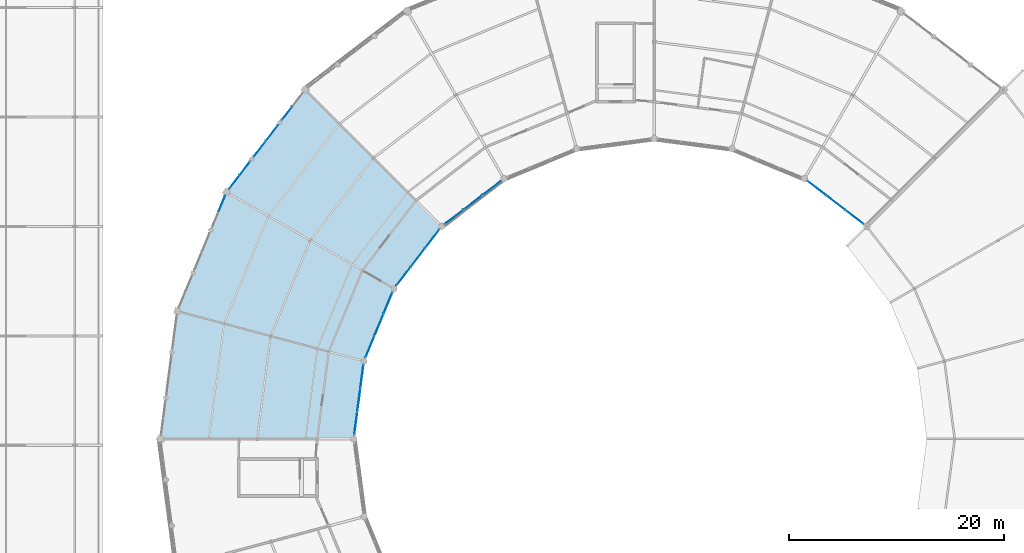
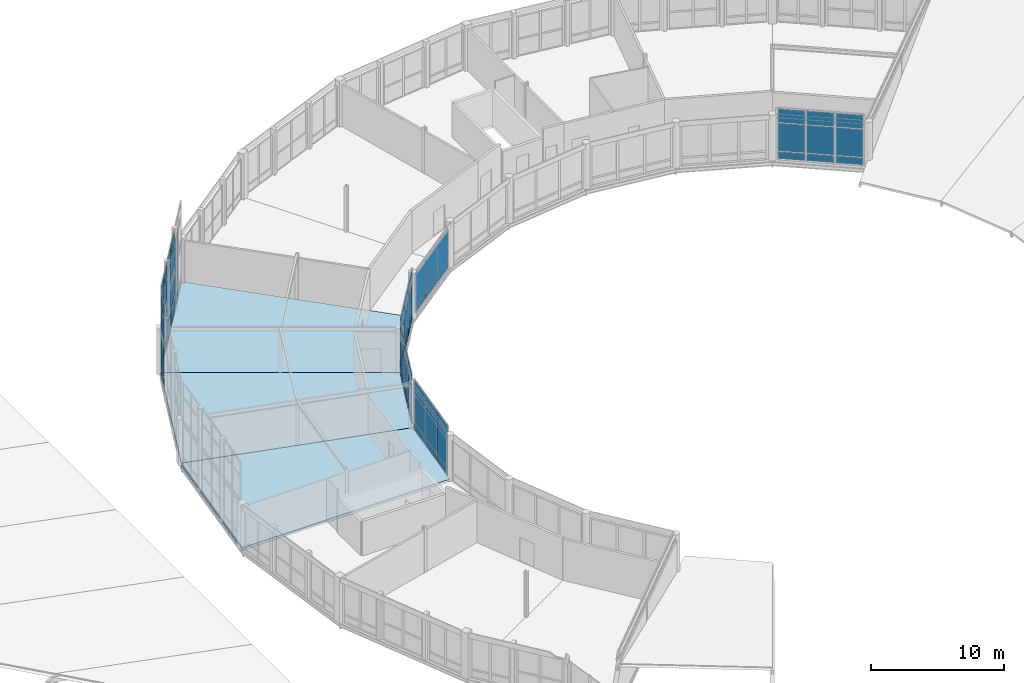
# One storey, part 138 of 200: 59 plates, 3 slabs, 9 elements without a shape of their own.
"""IFC4 building model written with IfcOpenShell, lengths in metres."""

from ifc_helpers import new_model, si_unit, direction, frame, origin, origin_2d, place, context, subcontext, project, spatial, polyline, rectangle, outline, extrude, material, layer, layer_set, type_object, element, aggregate, save


model = new_model("IFC4")

# Units and contexts
model_context = context("Model", 3, precision=1e-05, world=origin(), true_north=direction((0.0, 1.0)))
body_context = subcontext(model_context, "Body", "Model", "MODEL_VIEW")
ifc_project = project(units=[si_unit("LENGTHUNIT", "METRE"), si_unit("AREAUNIT", "SQUARE_METRE"), si_unit("VOLUMEUNIT", "CUBIC_METRE"), si_unit("PLANEANGLEUNIT", "RADIAN"), si_unit("MASSUNIT", "GRAM", prefix="KILO")], contexts=[model_context])

# Site, building, storey
site_placement = place(None, origin())
site = spatial("IfcSite", under=ifc_project, at=site_placement, CompositionType="ELEMENT")
building_placement = place(site_placement, origin())
building = spatial("IfcBuilding", under=site, at=building_placement, Name="Vondelvale Polytechnic", CompositionType="ELEMENT")
storey_placement = place(building_placement, frame((0.0, 0.0, 13.800048828125)))
storey = spatial("IfcBuildingStorey", under=building, at=storey_placement, Name="L03", CompositionType="ELEMENT", Elevation=13.800048828125)

# Curtain wall, plates
ifc_material_1 = material(Name="Anodised extruded aluminium 6063-T6", Category="aluminium")
curtain_wall_type_1 = type_object("IfcCurtainWallType", Name="CW-RING-CLOISTER", PredefinedType="NOTDEFINED", material=ifc_material_1)
curtain_wall_1_placement = place(storey_placement, origin())
curtain_wall_1 = element("IfcCurtainWall", 1, at=curtain_wall_1_placement, inside=storey, type_object=curtain_wall_type_1, Name="L03 architectural curtain wall CW-03-108", PredefinedType="NOTDEFINED")
ifc_material_2 = material(Name="Double-glazed low-E insulated architectural glass", Category="glass")
ifc_layer_1 = layer(ifc_material_2, 0.028076171875)
ifc_layer_set_1 = layer_set([ifc_layer_1], Name="CW-PANEL-GLAZED")
plate_type_1 = type_object("IfcPlateType", Name="CW-PANEL-GLAZED", PredefinedType="CURTAIN_PANEL", material=ifc_layer_set_1)
plate_1_placement = place(storey_placement, frame((120.644775390625, 92.6845703125, 0.78271484375), z_axis=(0.0, 0.0, 1.0), x_axis=(-0.793363861089, 0.608747717793, 0.0)))
plate_1 = element("IfcPlate", 2, at=plate_1_placement, type_object=plate_type_1, Name="CW-03-108 panel 1.2", PredefinedType="CURTAIN_PANEL", context=body_context, shape_type="SweptSolid", body=[
    extrude(rectangle(XDim=2.1123046875, YDim=0.028076171875, at=origin_2d()), origin(), (0.0, 0.0, 1.0), 2.548095703125),
])
plate_2_placement = place(storey_placement, frame((120.644775390625, 92.6845703125, 3.395751953125), z_axis=(0.0, 0.0, 1.0), x_axis=(-0.793363861089, 0.608747717793, 0.0)))
plate_2 = element("IfcPlate", 3, at=plate_2_placement, type_object=plate_type_1, Name="CW-03-108 panel 1.3", PredefinedType="CURTAIN_PANEL", context=body_context, shape_type="SweptSolid", body=[
    extrude(rectangle(XDim=2.1123046875, YDim=0.028076171875, at=origin_2d()), origin(), (0.0, 0.0, 1.0), 1.25244140625),
])
plate_3_placement = place(storey_placement, frame((118.8994140625, 94.02392578125, 0.78271484375), z_axis=(0.0, 0.0, 1.0), x_axis=(-0.793363861089, 0.608747717793, 0.0)))
plate_3 = element("IfcPlate", 4, at=plate_3_placement, type_object=plate_type_1, Name="CW-03-108 panel 2.2", PredefinedType="CURTAIN_PANEL", context=body_context, shape_type="SweptSolid", body=[
    extrude(rectangle(XDim=2.1474609375, YDim=0.028076171875, at=origin_2d()), origin(), (0.0, 0.0, 1.0), 2.548095703125),
])
plate_4_placement = place(storey_placement, frame((118.8994140625, 94.02392578125, 3.395751953125), z_axis=(0.0, 0.0, 1.0), x_axis=(-0.793363861089, 0.608747717793, 0.0)))
plate_4 = element("IfcPlate", 5, at=plate_4_placement, type_object=plate_type_1, Name="CW-03-108 panel 2.3", PredefinedType="CURTAIN_PANEL", context=body_context, shape_type="SweptSolid", body=[
    extrude(rectangle(XDim=2.1474609375, YDim=0.028076171875, at=origin_2d()), origin(), (0.0, 0.0, 1.0), 1.25244140625),
])
plate_5_placement = place(storey_placement, frame((117.154296875, 95.363037109375, 0.78271484375), z_axis=(0.0, 0.0, 1.0), x_axis=(-0.793363861089, 0.608747717793, 0.0)))
plate_5 = element("IfcPlate", 6, at=plate_5_placement, type_object=plate_type_1, Name="CW-03-108 panel 3.2", PredefinedType="CURTAIN_PANEL", context=body_context, shape_type="SweptSolid", body=[
    extrude(rectangle(XDim=2.1123046875, YDim=0.028076171875, at=origin_2d()), origin(), (0.0, 0.0, 1.0), 2.548095703125),
])
plate_6_placement = place(storey_placement, frame((117.154296875, 95.363037109375, 3.395751953125), z_axis=(0.0, 0.0, 1.0), x_axis=(-0.793363861089, 0.608747717793, 0.0)))
plate_6 = element("IfcPlate", 7, at=plate_6_placement, type_object=plate_type_1, Name="CW-03-108 panel 3.3", PredefinedType="CURTAIN_PANEL", context=body_context, shape_type="SweptSolid", body=[
    extrude(rectangle(XDim=2.1123046875, YDim=0.028076171875, at=origin_2d()), origin(), (0.0, 0.0, 1.0), 1.25244140625),
])

curtain_wall_2_placement = place(storey_placement, origin())
curtain_wall_2 = element("IfcCurtainWall", 8, at=curtain_wall_2_placement, inside=storey, type_object=curtain_wall_type_1, Name="L03 architectural curtain wall CW-03-202", PredefinedType="NOTDEFINED")
plate_7_placement = place(storey_placement, frame((86.845703125, 95.363037109375, 0.7822265625), z_axis=(0.0, 0.0, 1.0), x_axis=(-0.793363861089, -0.608747717793, 0.0)))
plate_7 = element("IfcPlate", 9, at=plate_7_placement, type_object=plate_type_1, Name="CW-03-202 panel 1.2", PredefinedType="CURTAIN_PANEL", context=body_context, shape_type="SweptSolid", body=[
    extrude(rectangle(XDim=2.1123046875, YDim=0.028076171875, at=origin_2d()), origin(), (0.0, 0.0, 1.0), 2.902587890625),
])
plate_8_placement = place(storey_placement, frame((85.1005859375, 94.02392578125, 0.7822265625), z_axis=(0.0, 0.0, 1.0), x_axis=(-0.793363861089, -0.608747717793, 0.0)))
plate_8 = element("IfcPlate", 10, at=plate_8_placement, type_object=plate_type_1, Name="CW-03-202 panel 2.2", PredefinedType="CURTAIN_PANEL", context=body_context, shape_type="SweptSolid", body=[
    extrude(rectangle(XDim=2.1474609375, YDim=0.028076171875, at=origin_2d()), origin(), (0.0, 0.0, 1.0), 2.902587890625),
])
plate_9_placement = place(storey_placement, frame((83.355224609375, 92.6845703125, 0.7822265625), z_axis=(0.0, 0.0, 1.0), x_axis=(-0.793363861089, -0.608747717793, 0.0)))
plate_9 = element("IfcPlate", 11, at=plate_9_placement, type_object=plate_type_1, Name="CW-03-202 panel 3.2", PredefinedType="CURTAIN_PANEL", context=body_context, shape_type="SweptSolid", body=[
    extrude(rectangle(XDim=2.1123046875, YDim=0.028076171875, at=origin_2d()), origin(), (0.0, 0.0, 1.0), 2.902587890625),
])

curtain_wall_3_placement = place(storey_placement, origin())
curtain_wall_3 = element("IfcCurtainWall", 12, at=curtain_wall_3_placement, inside=storey, type_object=curtain_wall_type_1, Name="L03 architectural curtain wall CW-03-221", PredefinedType="NOTDEFINED")
plate_10_placement = place(storey_placement, frame((81.3154296875, 90.644775390625, 0.78271484375), z_axis=(0.0, 0.0, 1.0), x_axis=(-0.608747717793, -0.793363861089, 0.0)))
plate_10 = element("IfcPlate", 13, at=plate_10_placement, type_object=plate_type_1, Name="CW-03-221 panel 1.2", PredefinedType="CURTAIN_PANEL", context=body_context, shape_type="SweptSolid", body=[
    extrude(rectangle(XDim=2.1123046875, YDim=0.028076171875, at=origin_2d()), origin(), (0.0, 0.0, 1.0), 2.548095703125),
])
plate_11_placement = place(storey_placement, frame((81.3154296875, 90.644775390625, 3.395751953125), z_axis=(0.0, 0.0, 1.0), x_axis=(-0.608747717793, -0.793363861089, 0.0)))
plate_11 = element("IfcPlate", 14, at=plate_11_placement, type_object=plate_type_1, Name="CW-03-221 panel 1.3", PredefinedType="CURTAIN_PANEL", context=body_context, shape_type="SweptSolid", body=[
    extrude(rectangle(XDim=2.1123046875, YDim=0.028076171875, at=origin_2d()), origin(), (0.0, 0.0, 1.0), 1.25244140625),
])
plate_12_placement = place(storey_placement, frame((79.97607421875, 88.8994140625, 0.78271484375), z_axis=(0.0, 0.0, 1.0), x_axis=(-0.608747717793, -0.793363861089, 0.0)))
plate_12 = element("IfcPlate", 15, at=plate_12_placement, type_object=plate_type_1, Name="CW-03-221 panel 2.2", PredefinedType="CURTAIN_PANEL", context=body_context, shape_type="SweptSolid", body=[
    extrude(rectangle(XDim=2.1474609375, YDim=0.028076171875, at=origin_2d()), origin(), (0.0, 0.0, 1.0), 2.548095703125),
])
plate_13_placement = place(storey_placement, frame((79.97607421875, 88.8994140625, 3.395751953125), z_axis=(0.0, 0.0, 1.0), x_axis=(-0.608747717793, -0.793363861089, 0.0)))
plate_13 = element("IfcPlate", 16, at=plate_13_placement, type_object=plate_type_1, Name="CW-03-221 panel 2.3", PredefinedType="CURTAIN_PANEL", context=body_context, shape_type="SweptSolid", body=[
    extrude(rectangle(XDim=2.1474609375, YDim=0.028076171875, at=origin_2d()), origin(), (0.0, 0.0, 1.0), 1.25244140625),
])
plate_14_placement = place(storey_placement, frame((78.636962890625, 87.154296875, 0.78271484375), z_axis=(0.0, 0.0, 1.0), x_axis=(-0.608747717793, -0.793363861089, 0.0)))
plate_14 = element("IfcPlate", 17, at=plate_14_placement, type_object=plate_type_1, Name="CW-03-221 panel 3.2", PredefinedType="CURTAIN_PANEL", context=body_context, shape_type="SweptSolid", body=[
    extrude(rectangle(XDim=2.1123046875, YDim=0.028076171875, at=origin_2d()), origin(), (0.0, 0.0, 1.0), 2.548095703125),
])
plate_15_placement = place(storey_placement, frame((78.636962890625, 87.154296875, 3.395751953125), z_axis=(0.0, 0.0, 1.0), x_axis=(-0.608747717793, -0.793363861089, 0.0)))
plate_15 = element("IfcPlate", 18, at=plate_15_placement, type_object=plate_type_1, Name="CW-03-221 panel 3.3", PredefinedType="CURTAIN_PANEL", context=body_context, shape_type="SweptSolid", body=[
    extrude(rectangle(XDim=2.1123046875, YDim=0.028076171875, at=origin_2d()), origin(), (0.0, 0.0, 1.0), 1.25244140625),
])

# Curtain wall, plate
ifc_material_3 = material(Name="Glulam GL18 structural Tasmanian oak (fb = 42 MPa)", Category="wood")
curtain_wall_type_2 = type_object("IfcCurtainWallType", Name="CW-RING-OUTER", PredefinedType="NOTDEFINED", material=ifc_material_3)
curtain_wall_4_placement = place(storey_placement, origin())
curtain_wall_4 = element("IfcCurtainWall", 19, at=curtain_wall_4_placement, inside=storey, type_object=curtain_wall_type_2, Name="L03 architectural curtain wall CW-04-222", PredefinedType="NOTDEFINED")
plate_16_placement = place(storey_placement, frame((67.794189453125, 102.339111328125, 0.780029296875), z_axis=(0.0, 0.0, 1.0), x_axis=(-0.608786860133, -0.793333825656, 0.0)))
plate_16 = element("IfcPlate", 20, at=plate_16_placement, type_object=plate_type_1, Name="CW-04-222 panel 2.2", PredefinedType="CURTAIN_PANEL", context=body_context, shape_type="SweptSolid", body=[
    extrude(rectangle(XDim=1.530029296875, YDim=0.028076171875, at=origin_2d()), origin(), (0.0, 0.0, 1.0), 5.50146484375),
])

# Curtain wall, plates
curtain_wall_5_placement = place(storey_placement, origin())
curtain_wall_5 = element("IfcCurtainWall", 21, at=curtain_wall_5_placement, inside=storey, type_object=curtain_wall_type_2, Name="L03 architectural curtain wall CW-04-223", PredefinedType="NOTDEFINED")
plate_17_placement = place(storey_placement, frame((66.388427734375, 100.5068359375, 1.6298828125), z_axis=(0.0, 0.0, 1.0), x_axis=(-0.608771189063, -0.793345851043, 0.0)))
plate_17 = element("IfcPlate", 22, at=plate_17_placement, type_object=plate_type_1, Name="CW-04-223 panel 1.2", PredefinedType="CURTAIN_PANEL", context=body_context, shape_type="SweptSolid", body=[
    extrude(rectangle(XDim=1.80908203125, YDim=0.028076171875, at=origin_2d()), origin(), (0.0, 0.0, 1.0), 4.6513671875),
])
plate_18_placement = place(storey_placement, frame((66.388427734375, 100.5068359375, 6.34130859375), z_axis=(0.0, 0.0, 1.0), x_axis=(-0.608771189063, -0.793345851043, 0.0)))
plate_18 = element("IfcPlate", 23, at=plate_18_placement, type_object=plate_type_1, Name="CW-04-223 panel 1.3", PredefinedType="CURTAIN_PANEL", context=body_context, shape_type="SweptSolid", body=[
    extrude(rectangle(XDim=1.80908203125, YDim=0.028076171875, at=origin_2d()), origin(), (0.0, 0.0, 1.0), 1.260009765625),
])
plate_19_placement = place(storey_placement, frame((65.24755859375, 99.02001953125, 1.6298828125), z_axis=(0.0, 0.0, 1.0), x_axis=(-0.608771189063, -0.793345851043, 0.0)))
plate_19 = element("IfcPlate", 24, at=plate_19_placement, type_object=plate_type_1, Name="CW-04-223 panel 2.2", PredefinedType="CURTAIN_PANEL", context=body_context, shape_type="SweptSolid", body=[
    extrude(rectangle(XDim=1.80908203125, YDim=0.028076171875, at=origin_2d()), origin(), (0.0, 0.0, 1.0), 4.6513671875),
])
plate_20_placement = place(storey_placement, frame((65.24755859375, 99.02001953125, 6.34130859375), z_axis=(0.0, 0.0, 1.0), x_axis=(-0.608771189063, -0.793345851043, 0.0)))
plate_20 = element("IfcPlate", 25, at=plate_20_placement, type_object=plate_type_1, Name="CW-04-223 panel 2.3", PredefinedType="CURTAIN_PANEL", context=body_context, shape_type="SweptSolid", body=[
    extrude(rectangle(XDim=1.80908203125, YDim=0.028076171875, at=origin_2d()), origin(), (0.0, 0.0, 1.0), 1.260009765625),
])

curtain_wall_6_placement = place(storey_placement, origin())
curtain_wall_6 = element("IfcCurtainWall", 26, at=curtain_wall_6_placement, inside=storey, type_object=curtain_wall_type_2, Name="L03 architectural curtain wall CW-04-224", PredefinedType="NOTDEFINED")
plate_21_placement = place(storey_placement, frame((63.841552734375, 97.187744140625, 0.780029296875), z_axis=(0.0, 0.0, 1.0), x_axis=(-0.608786860133, -0.793333825656, 0.0)))
plate_21 = element("IfcPlate", 27, at=plate_21_placement, type_object=plate_type_1, Name="CW-04-224 panel 1.2", PredefinedType="CURTAIN_PANEL", context=body_context, shape_type="SweptSolid", body=[
    extrude(rectangle(XDim=1.530029296875, YDim=0.028076171875, at=origin_2d()), origin(), (0.0, 0.0, 1.0), 5.50146484375),
])
plate_22_placement = place(storey_placement, frame((63.841552734375, 97.187744140625, 6.34130859375), z_axis=(0.0, 0.0, 1.0), x_axis=(-0.608786860133, -0.793333825656, 0.0)))
plate_22 = element("IfcPlate", 28, at=plate_22_placement, type_object=plate_type_1, Name="CW-04-224 panel 1.3", PredefinedType="CURTAIN_PANEL", context=body_context, shape_type="SweptSolid", body=[
    extrude(rectangle(XDim=1.530029296875, YDim=0.028076171875, at=origin_2d()), origin(), (0.0, 0.0, 1.0), 1.260009765625),
])
plate_23_placement = place(storey_placement, frame((62.87060546875, 95.92236328125, 0.780029296875), z_axis=(0.0, 0.0, 1.0), x_axis=(-0.608786860133, -0.793333825656, 0.0)))
plate_23 = element("IfcPlate", 29, at=plate_23_placement, type_object=plate_type_1, Name="CW-04-224 panel 2.2", PredefinedType="CURTAIN_PANEL", context=body_context, shape_type="SweptSolid", body=[
    extrude(rectangle(XDim=1.530029296875, YDim=0.028076171875, at=origin_2d()), origin(), (0.0, 0.0, 1.0), 5.50146484375),
])
plate_24_placement = place(storey_placement, frame((62.87060546875, 95.92236328125, 6.34130859375), z_axis=(0.0, 0.0, 1.0), x_axis=(-0.608786860133, -0.793333825656, 0.0)))
plate_24 = element("IfcPlate", 30, at=plate_24_placement, type_object=plate_type_1, Name="CW-04-224 panel 2.3", PredefinedType="CURTAIN_PANEL", context=body_context, shape_type="SweptSolid", body=[
    extrude(rectangle(XDim=1.530029296875, YDim=0.028076171875, at=origin_2d()), origin(), (0.0, 0.0, 1.0), 1.260009765625),
])

curtain_wall_7_placement = place(storey_placement, origin())
curtain_wall_7 = element("IfcCurtainWall", 31, at=curtain_wall_7_placement, inside=storey, type_object=curtain_wall_type_1, Name="L03 architectural curtain wall CW-03-237", PredefinedType="NOTDEFINED")
plate_25_placement = place(storey_placement, frame((77.194091796875, 84.655029296875, 0.78271484375), z_axis=(0.0, 0.0, 1.0), x_axis=(-0.382678531697, -0.923881562419, 0.0)))
plate_25 = element("IfcPlate", 32, at=plate_25_placement, type_object=plate_type_1, Name="CW-03-237 panel 1.2", PredefinedType="CURTAIN_PANEL", context=body_context, shape_type="SweptSolid", body=[
    extrude(rectangle(XDim=2.111572265625, YDim=0.028076171875, at=origin_2d()), origin(), (0.0, 0.0, 1.0), 2.548095703125),
])
plate_26_placement = place(storey_placement, frame((77.194091796875, 84.655029296875, 3.395751953125), z_axis=(0.0, 0.0, 1.0), x_axis=(-0.382678531697, -0.923881562419, 0.0)))
plate_26 = element("IfcPlate", 33, at=plate_26_placement, type_object=plate_type_1, Name="CW-03-237 panel 1.3", PredefinedType="CURTAIN_PANEL", context=body_context, shape_type="SweptSolid", body=[
    extrude(rectangle(XDim=2.111572265625, YDim=0.028076171875, at=origin_2d()), origin(), (0.0, 0.0, 1.0), 1.25244140625),
])
plate_27_placement = place(storey_placement, frame((76.352783203125, 82.62353515625, 0.78271484375), z_axis=(0.0, 0.0, 1.0), x_axis=(-0.382678531697, -0.923881562419, 0.0)))
plate_27 = element("IfcPlate", 34, at=plate_27_placement, type_object=plate_type_1, Name="CW-03-237 panel 2.2", PredefinedType="CURTAIN_PANEL", context=body_context, shape_type="SweptSolid", body=[
    extrude(rectangle(XDim=2.146484375, YDim=0.028076171875, at=origin_2d()), origin(), (0.0, 0.0, 1.0), 2.548095703125),
])
plate_28_placement = place(storey_placement, frame((76.352783203125, 82.62353515625, 3.395751953125), z_axis=(0.0, 0.0, 1.0), x_axis=(-0.382678531697, -0.923881562419, 0.0)))
plate_28 = element("IfcPlate", 35, at=plate_28_placement, type_object=plate_type_1, Name="CW-03-237 panel 2.3", PredefinedType="CURTAIN_PANEL", context=body_context, shape_type="SweptSolid", body=[
    extrude(rectangle(XDim=2.146484375, YDim=0.028076171875, at=origin_2d()), origin(), (0.0, 0.0, 1.0), 1.25244140625),
])
plate_29_placement = place(storey_placement, frame((75.51123046875, 80.591796875, 0.78271484375), z_axis=(0.0, 0.0, 1.0), x_axis=(-0.382678531697, -0.923881562419, 0.0)))
plate_29 = element("IfcPlate", 36, at=plate_29_placement, type_object=plate_type_1, Name="CW-03-237 panel 3.2", PredefinedType="CURTAIN_PANEL", context=body_context, shape_type="SweptSolid", body=[
    extrude(rectangle(XDim=2.111572265625, YDim=0.028076171875, at=origin_2d()), origin(), (0.0, 0.0, 1.0), 2.548095703125),
])
plate_30_placement = place(storey_placement, frame((75.51123046875, 80.591796875, 3.395751953125), z_axis=(0.0, 0.0, 1.0), x_axis=(-0.382678531697, -0.923881562419, 0.0)))
plate_30 = element("IfcPlate", 37, at=plate_30_placement, type_object=plate_type_1, Name="CW-03-237 panel 3.3", PredefinedType="CURTAIN_PANEL", context=body_context, shape_type="SweptSolid", body=[
    extrude(rectangle(XDim=2.111572265625, YDim=0.028076171875, at=origin_2d()), origin(), (0.0, 0.0, 1.0), 1.25244140625),
])

curtain_wall_8_placement = place(storey_placement, origin())
curtain_wall_8 = element("IfcCurtainWall", 38, at=curtain_wall_8_placement, inside=storey, type_object=curtain_wall_type_2, Name="L03 architectural curtain wall CW-04-238", PredefinedType="NOTDEFINED")
plate_31_placement = place(storey_placement, frame((61.7177734375, 93.92578125, 0.780029296875), z_axis=(0.0, 0.0, 1.0), x_axis=(-0.382677394529, -0.923882033442, 0.0)))
plate_31 = element("IfcPlate", 39, at=plate_31_placement, type_object=plate_type_1, Name="CW-04-238 panel 1.2", PredefinedType="CURTAIN_PANEL", context=body_context, shape_type="SweptSolid", body=[
    extrude(rectangle(XDim=1.530029296875, YDim=0.028076171875, at=origin_2d()), origin(), (0.0, 0.0, 1.0), 5.50146484375),
])
plate_32_placement = place(storey_placement, frame((61.7177734375, 93.92578125, 6.34130859375), z_axis=(0.0, 0.0, 1.0), x_axis=(-0.382677394529, -0.923882033442, 0.0)))
plate_32 = element("IfcPlate", 40, at=plate_32_placement, type_object=plate_type_1, Name="CW-04-238 panel 1.3", PredefinedType="CURTAIN_PANEL", context=body_context, shape_type="SweptSolid", body=[
    extrude(rectangle(XDim=1.530029296875, YDim=0.028076171875, at=origin_2d()), origin(), (0.0, 0.0, 1.0), 1.260009765625),
])

curtain_wall_9_placement = place(storey_placement, origin())
curtain_wall_9 = element("IfcCurtainWall", 41, at=curtain_wall_9_placement, inside=storey, type_object=curtain_wall_type_1, Name="L03 architectural curtain wall CW-03-252", PredefinedType="NOTDEFINED")
plate_33_placement = place(storey_placement, frame((74.76416015625, 77.804443359375, 0.78271484375), z_axis=(0.0, 0.0, 1.0), x_axis=(-0.130528007165, -0.99144462243, 0.0)))
plate_33 = element("IfcPlate", 42, at=plate_33_placement, type_object=plate_type_1, Name="CW-03-252 panel 1.2", PredefinedType="CURTAIN_PANEL", context=body_context, shape_type="SweptSolid", body=[
    extrude(rectangle(XDim=2.1123046875, YDim=0.028076171875, at=origin_2d()), origin(), (0.0, 0.0, 1.0), 2.548095703125),
])
plate_34_placement = place(storey_placement, frame((74.76416015625, 77.804443359375, 3.395751953125), z_axis=(0.0, 0.0, 1.0), x_axis=(-0.130528007165, -0.99144462243, 0.0)))
plate_34 = element("IfcPlate", 43, at=plate_34_placement, type_object=plate_type_1, Name="CW-03-252 panel 1.3", PredefinedType="CURTAIN_PANEL", context=body_context, shape_type="SweptSolid", body=[
    extrude(rectangle(XDim=2.1123046875, YDim=0.028076171875, at=origin_2d()), origin(), (0.0, 0.0, 1.0), 1.25244140625),
])
plate_35_placement = place(storey_placement, frame((74.47705078125, 75.62353515625, 0.78271484375), z_axis=(0.0, 0.0, 1.0), x_axis=(-0.130528007165, -0.99144462243, 0.0)))
plate_35 = element("IfcPlate", 44, at=plate_35_placement, type_object=plate_type_1, Name="CW-03-252 panel 2.2", PredefinedType="CURTAIN_PANEL", context=body_context, shape_type="SweptSolid", body=[
    extrude(rectangle(XDim=2.1474609375, YDim=0.028076171875, at=origin_2d()), origin(), (0.0, 0.0, 1.0), 2.548095703125),
])
plate_36_placement = place(storey_placement, frame((74.47705078125, 75.62353515625, 3.395751953125), z_axis=(0.0, 0.0, 1.0), x_axis=(-0.130528007165, -0.99144462243, 0.0)))
plate_36 = element("IfcPlate", 45, at=plate_36_placement, type_object=plate_type_1, Name="CW-03-252 panel 2.3", PredefinedType="CURTAIN_PANEL", context=body_context, shape_type="SweptSolid", body=[
    extrude(rectangle(XDim=2.1474609375, YDim=0.028076171875, at=origin_2d()), origin(), (0.0, 0.0, 1.0), 1.25244140625),
])
plate_37_placement = place(storey_placement, frame((74.18994140625, 73.4423828125, 0.78271484375), z_axis=(0.0, 0.0, 1.0), x_axis=(-0.130528007165, -0.99144462243, 0.0)))
plate_37 = element("IfcPlate", 46, at=plate_37_placement, type_object=plate_type_1, Name="CW-03-252 panel 3.2", PredefinedType="CURTAIN_PANEL", context=body_context, shape_type="SweptSolid", body=[
    extrude(rectangle(XDim=2.1123046875, YDim=0.028076171875, at=origin_2d()), origin(), (0.0, 0.0, 1.0), 2.548095703125),
])
plate_38_placement = place(storey_placement, frame((74.18994140625, 73.4423828125, 3.395751953125), z_axis=(0.0, 0.0, 1.0), x_axis=(-0.130528007165, -0.99144462243, 0.0)))
plate_38 = element("IfcPlate", 47, at=plate_38_placement, type_object=plate_type_1, Name="CW-03-252 panel 3.3", PredefinedType="CURTAIN_PANEL", context=body_context, shape_type="SweptSolid", body=[
    extrude(rectangle(XDim=2.1123046875, YDim=0.028076171875, at=origin_2d()), origin(), (0.0, 0.0, 1.0), 1.25244140625),
])

# Plate
ifc_material_4 = material(Name="Engineered Tasmanian oak studio and bridge joinery")
ifc_layer_2 = layer(ifc_material_4, 0.0419921875)
ifc_layer_set_2 = layer_set([ifc_layer_2], Name="CW-PANEL-OAK")
plate_type_2 = type_object("IfcPlateType", Name="CW-PANEL-OAK", PredefinedType="CURTAIN_PANEL", material=ifc_layer_set_2)
plate_39_placement = place(storey_placement, frame((120.644775390625, 92.6845703125, 0.06494140625), z_axis=(0.0, 0.0, 1.0), x_axis=(-0.793363861089, 0.608747717793, 0.0)))
plate_39 = element("IfcPlate", 48, at=plate_39_placement, type_object=plate_type_2, Name="CW-03-108 panel 1.1", PredefinedType="CURTAIN_PANEL", context=body_context, shape_type="SweptSolid", body=[
    extrude(rectangle(XDim=2.1123046875, YDim=0.0419921875, at=origin_2d()), origin(), (0.0, 0.0, 1.0), 0.652587890625),
])

plate_40_placement = place(storey_placement, frame((118.8994140625, 94.02392578125, 0.06494140625), z_axis=(0.0, 0.0, 1.0), x_axis=(-0.793363861089, 0.608747717793, 0.0)))
plate_40 = element("IfcPlate", 49, at=plate_40_placement, type_object=plate_type_2, Name="CW-03-108 panel 2.1", PredefinedType="CURTAIN_PANEL", context=body_context, shape_type="SweptSolid", body=[
    extrude(rectangle(XDim=2.1474609375, YDim=0.0419921875, at=origin_2d()), origin(), (0.0, 0.0, 1.0), 0.652587890625),
])

plate_41_placement = place(storey_placement, frame((117.154296875, 95.363037109375, 0.06494140625), z_axis=(0.0, 0.0, 1.0), x_axis=(-0.793363861089, 0.608747717793, 0.0)))
plate_41 = element("IfcPlate", 50, at=plate_41_placement, type_object=plate_type_2, Name="CW-03-108 panel 3.1", PredefinedType="CURTAIN_PANEL", context=body_context, shape_type="SweptSolid", body=[
    extrude(rectangle(XDim=2.1123046875, YDim=0.0419921875, at=origin_2d()), origin(), (0.0, 0.0, 1.0), 0.652587890625),
])

aggregate(curtain_wall_1, [plate_39, plate_1, plate_2, plate_40, plate_3, plate_4, plate_41, plate_5, plate_6])

plate_42_placement = place(storey_placement, frame((86.845703125, 95.363037109375, 0.06494140625), z_axis=(0.0, 0.0, 1.0), x_axis=(-0.793363861089, -0.608747717793, 0.0)))
plate_42 = element("IfcPlate", 51, at=plate_42_placement, type_object=plate_type_2, Name="CW-03-202 panel 1.1", PredefinedType="CURTAIN_PANEL", context=body_context, shape_type="SweptSolid", body=[
    extrude(rectangle(XDim=2.1123046875, YDim=0.0419921875, at=origin_2d()), origin(), (0.0, 0.0, 1.0), 0.652587890625),
])

plate_43_placement = place(storey_placement, frame((85.1005859375, 94.02392578125, 0.06494140625), z_axis=(0.0, 0.0, 1.0), x_axis=(-0.793363861089, -0.608747717793, 0.0)))
plate_43 = element("IfcPlate", 52, at=plate_43_placement, type_object=plate_type_2, Name="CW-03-202 panel 2.1", PredefinedType="CURTAIN_PANEL", context=body_context, shape_type="SweptSolid", body=[
    extrude(rectangle(XDim=2.1474609375, YDim=0.0419921875, at=origin_2d()), origin(), (0.0, 0.0, 1.0), 0.652587890625),
])

plate_44_placement = place(storey_placement, frame((83.355224609375, 92.6845703125, 0.06494140625), z_axis=(0.0, 0.0, 1.0), x_axis=(-0.793363861089, -0.608747717793, 0.0)))
plate_44 = element("IfcPlate", 53, at=plate_44_placement, type_object=plate_type_2, Name="CW-03-202 panel 3.1", PredefinedType="CURTAIN_PANEL", context=body_context, shape_type="SweptSolid", body=[
    extrude(rectangle(XDim=2.1123046875, YDim=0.0419921875, at=origin_2d()), origin(), (0.0, 0.0, 1.0), 0.652587890625),
])

aggregate(curtain_wall_2, [plate_42, plate_7, plate_43, plate_8, plate_44, plate_9])

plate_45_placement = place(storey_placement, frame((81.3154296875, 90.644775390625, 0.06494140625), z_axis=(0.0, 0.0, 1.0), x_axis=(-0.608747717793, -0.793363861089, 0.0)))
plate_45 = element("IfcPlate", 54, at=plate_45_placement, type_object=plate_type_2, Name="CW-03-221 panel 1.1", PredefinedType="CURTAIN_PANEL", context=body_context, shape_type="SweptSolid", body=[
    extrude(rectangle(XDim=2.1123046875, YDim=0.0419921875, at=origin_2d()), origin(), (0.0, 0.0, 1.0), 0.652587890625),
])

plate_46_placement = place(storey_placement, frame((79.97607421875, 88.8994140625, 0.06494140625), z_axis=(0.0, 0.0, 1.0), x_axis=(-0.608747717793, -0.793363861089, 0.0)))
plate_46 = element("IfcPlate", 55, at=plate_46_placement, type_object=plate_type_2, Name="CW-03-221 panel 2.1", PredefinedType="CURTAIN_PANEL", context=body_context, shape_type="SweptSolid", body=[
    extrude(rectangle(XDim=2.1474609375, YDim=0.0419921875, at=origin_2d()), origin(), (0.0, 0.0, 1.0), 0.652587890625),
])

plate_47_placement = place(storey_placement, frame((78.636962890625, 87.154296875, 0.06494140625), z_axis=(0.0, 0.0, 1.0), x_axis=(-0.608747717793, -0.793363861089, 0.0)))
plate_47 = element("IfcPlate", 56, at=plate_47_placement, type_object=plate_type_2, Name="CW-03-221 panel 3.1", PredefinedType="CURTAIN_PANEL", context=body_context, shape_type="SweptSolid", body=[
    extrude(rectangle(XDim=2.1123046875, YDim=0.0419921875, at=origin_2d()), origin(), (0.0, 0.0, 1.0), 0.652587890625),
])

aggregate(curtain_wall_3, [plate_45, plate_10, plate_11, plate_46, plate_12, plate_13, plate_47, plate_14, plate_15])

plate_48_placement = place(storey_placement, frame((66.388427734375, 100.5068359375, 0.06005859375), z_axis=(0.0, 0.0, 1.0), x_axis=(-0.608771189063, -0.793345851043, 0.0)))
plate_48 = element("IfcPlate", 57, at=plate_48_placement, type_object=plate_type_2, Name="CW-04-223 panel 1.1", PredefinedType="CURTAIN_PANEL", context=body_context, shape_type="SweptSolid", body=[
    extrude(rectangle(XDim=1.80908203125, YDim=0.0419921875, at=origin_2d()), origin(), (0.0, 0.0, 1.0), 1.510009765625),
])

plate_49_placement = place(storey_placement, frame((65.24755859375, 99.02001953125, 0.06005859375), z_axis=(0.0, 0.0, 1.0), x_axis=(-0.608771189063, -0.793345851043, 0.0)))
plate_49 = element("IfcPlate", 58, at=plate_49_placement, type_object=plate_type_2, Name="CW-04-223 panel 2.1", PredefinedType="CURTAIN_PANEL", context=body_context, shape_type="SweptSolid", body=[
    extrude(rectangle(XDim=1.80908203125, YDim=0.0419921875, at=origin_2d()), origin(), (0.0, 0.0, 1.0), 1.510009765625),
])

aggregate(curtain_wall_5, [plate_48, plate_17, plate_18, plate_49, plate_19, plate_20])

plate_50_placement = place(storey_placement, frame((77.194091796875, 84.655029296875, 0.06494140625), z_axis=(0.0, 0.0, 1.0), x_axis=(-0.382678531697, -0.923881562419, 0.0)))
plate_50 = element("IfcPlate", 59, at=plate_50_placement, type_object=plate_type_2, Name="CW-03-237 panel 1.1", PredefinedType="CURTAIN_PANEL", context=body_context, shape_type="SweptSolid", body=[
    extrude(rectangle(XDim=2.111572265625, YDim=0.0419921875, at=origin_2d()), origin(), (0.0, 0.0, 1.0), 0.652587890625),
])

plate_51_placement = place(storey_placement, frame((76.352783203125, 82.62353515625, 0.06494140625), z_axis=(0.0, 0.0, 1.0), x_axis=(-0.382678531697, -0.923881562419, 0.0)))
plate_51 = element("IfcPlate", 60, at=plate_51_placement, type_object=plate_type_2, Name="CW-03-237 panel 2.1", PredefinedType="CURTAIN_PANEL", context=body_context, shape_type="SweptSolid", body=[
    extrude(rectangle(XDim=2.146484375, YDim=0.0419921875, at=origin_2d()), origin(), (0.0, 0.0, 1.0), 0.652587890625),
])

plate_52_placement = place(storey_placement, frame((75.51123046875, 80.591796875, 0.06494140625), z_axis=(0.0, 0.0, 1.0), x_axis=(-0.382678531697, -0.923881562419, 0.0)))
plate_52 = element("IfcPlate", 61, at=plate_52_placement, type_object=plate_type_2, Name="CW-03-237 panel 3.1", PredefinedType="CURTAIN_PANEL", context=body_context, shape_type="SweptSolid", body=[
    extrude(rectangle(XDim=2.111572265625, YDim=0.0419921875, at=origin_2d()), origin(), (0.0, 0.0, 1.0), 0.652587890625),
])

aggregate(curtain_wall_7, [plate_50, plate_25, plate_26, plate_51, plate_27, plate_28, plate_52, plate_29, plate_30])

plate_53_placement = place(storey_placement, frame((74.76416015625, 77.804443359375, 0.06494140625), z_axis=(0.0, 0.0, 1.0), x_axis=(-0.130528007165, -0.99144462243, 0.0)))
plate_53 = element("IfcPlate", 62, at=plate_53_placement, type_object=plate_type_2, Name="CW-03-252 panel 1.1", PredefinedType="CURTAIN_PANEL", context=body_context, shape_type="SweptSolid", body=[
    extrude(rectangle(XDim=2.1123046875, YDim=0.0419921875, at=origin_2d()), origin(), (0.0, 0.0, 1.0), 0.652587890625),
])

plate_54_placement = place(storey_placement, frame((74.47705078125, 75.62353515625, 0.06494140625), z_axis=(0.0, 0.0, 1.0), x_axis=(-0.130528007165, -0.99144462243, 0.0)))
plate_54 = element("IfcPlate", 63, at=plate_54_placement, type_object=plate_type_2, Name="CW-03-252 panel 2.1", PredefinedType="CURTAIN_PANEL", context=body_context, shape_type="SweptSolid", body=[
    extrude(rectangle(XDim=2.1474609375, YDim=0.0419921875, at=origin_2d()), origin(), (0.0, 0.0, 1.0), 0.652587890625),
])

plate_55_placement = place(storey_placement, frame((74.18994140625, 73.4423828125, 0.06494140625), z_axis=(0.0, 0.0, 1.0), x_axis=(-0.130528007165, -0.99144462243, 0.0)))
plate_55 = element("IfcPlate", 64, at=plate_55_placement, type_object=plate_type_2, Name="CW-03-252 panel 3.1", PredefinedType="CURTAIN_PANEL", context=body_context, shape_type="SweptSolid", body=[
    extrude(rectangle(XDim=2.1123046875, YDim=0.0419921875, at=origin_2d()), origin(), (0.0, 0.0, 1.0), 0.652587890625),
])

aggregate(curtain_wall_9, [plate_53, plate_33, plate_34, plate_54, plate_35, plate_36, plate_55, plate_37, plate_38])

ifc_material_5 = material(Name="Kiln-fired architectural terracotta", Category="masonry")
ifc_layer_3 = layer(ifc_material_5, 0.035888671875)
ifc_layer_set_3 = layer_set([ifc_layer_3], Name="CW-PANEL-SPANDREL")
plate_type_3 = type_object("IfcPlateType", Name="CW-PANEL-SPANDREL", PredefinedType="CURTAIN_PANEL", material=ifc_layer_set_3)
plate_56_placement = place(storey_placement, frame((67.794189453125, 102.339111328125, 0.06005859375), z_axis=(0.0, 0.0, 1.0), x_axis=(-0.608786860133, -0.793333825656, 0.0)))
plate_56 = element("IfcPlate", 65, at=plate_56_placement, type_object=plate_type_3, Name="CW-04-222 panel 2.1", PredefinedType="CURTAIN_PANEL", context=body_context, shape_type="SweptSolid", body=[
    extrude(rectangle(XDim=1.530029296875, YDim=0.035888671875, at=origin_2d()), origin(), (0.0, 0.0, 1.0), 0.659912109375),
])

aggregate(curtain_wall_4, [plate_56, plate_16])

plate_57_placement = place(storey_placement, frame((63.841552734375, 97.187744140625, 0.06005859375), z_axis=(0.0, 0.0, 1.0), x_axis=(-0.608786860133, -0.793333825656, 0.0)))
plate_57 = element("IfcPlate", 66, at=plate_57_placement, type_object=plate_type_3, Name="CW-04-224 panel 1.1", PredefinedType="CURTAIN_PANEL", context=body_context, shape_type="SweptSolid", body=[
    extrude(rectangle(XDim=1.530029296875, YDim=0.035888671875, at=origin_2d()), origin(), (0.0, 0.0, 1.0), 0.659912109375),
])

plate_58_placement = place(storey_placement, frame((62.87060546875, 95.92236328125, 0.06005859375), z_axis=(0.0, 0.0, 1.0), x_axis=(-0.608786860133, -0.793333825656, 0.0)))
plate_58 = element("IfcPlate", 67, at=plate_58_placement, type_object=plate_type_3, Name="CW-04-224 panel 2.1", PredefinedType="CURTAIN_PANEL", context=body_context, shape_type="SweptSolid", body=[
    extrude(rectangle(XDim=1.530029296875, YDim=0.035888671875, at=origin_2d()), origin(), (0.0, 0.0, 1.0), 0.659912109375),
])

aggregate(curtain_wall_6, [plate_57, plate_21, plate_22, plate_58, plate_23, plate_24])

plate_59_placement = place(storey_placement, frame((61.7177734375, 93.92578125, 0.06005859375), z_axis=(0.0, 0.0, 1.0), x_axis=(-0.382677394529, -0.923882033442, 0.0)))
plate_59 = element("IfcPlate", 68, at=plate_59_placement, type_object=plate_type_3, Name="CW-04-238 panel 1.1", PredefinedType="CURTAIN_PANEL", context=body_context, shape_type="SweptSolid", body=[
    extrude(rectangle(XDim=1.530029296875, YDim=0.035888671875, at=origin_2d()), origin(), (0.0, 0.0, 1.0), 0.659912109375),
])

aggregate(curtain_wall_8, [plate_59, plate_31, plate_32])

# Slabs
ifc_material_6 = material(Name="Concrete N40 (f'c = 40 MPa)", Category="concrete")
ifc_layer_4 = layer(ifc_material_6, 0.25)
ifc_layer_set_4 = layer_set([ifc_layer_4], Name="SLB-LAB-250")
slab_type = type_object("IfcSlabType", Name="SLB-LAB-250", PredefinedType="FLOOR", material=ifc_layer_set_4)
slab_1_placement = place(storey_placement, frame((0.0, 0.0, -0.25)))
element("IfcSlab", 69, at=slab_1_placement, inside=storey, type_object=slab_type, Name="L03 circular ring sector 09 floor slab", PredefinedType="FLOOR", context=body_context, shape_type="SweptSolid", body=[
    extrude(outline(polyline([(82.200927734375, 91.799072265625), (69.47314453125, 104.52685546875), (62.162841796875, 95.0), (77.751220703125, 86.0), (82.200927734375, 91.799072265625)])), origin(), (0.0, 0.0, 1.0), 0.25),
])
slab_2_placement = place(storey_placement, frame((0.0, 0.0, -0.25)))
element("IfcSlab", 70, at=slab_2_placement, inside=storey, type_object=slab_type, Name="L03 circular ring sector 10 floor slab", PredefinedType="FLOOR", context=body_context, shape_type="SweptSolid", body=[
    extrude(outline(polyline([(77.751220703125, 86.0), (62.162841796875, 95.0), (57.5673828125, 83.90576171875), (74.9541015625, 79.246826171875), (77.751220703125, 86.0)])), origin(), (0.0, 0.0, 1.0), 0.25),
])
slab_3_placement = place(storey_placement, frame((0.0, 0.0, -0.25)))
element("IfcSlab", 71, at=slab_3_placement, inside=storey, type_object=slab_type, Name="L03 circular ring sector 11 floor slab", PredefinedType="FLOOR", context=body_context, shape_type="SweptSolid", body=[
    extrude(outline(polyline([(74.9541015625, 79.246826171875), (57.5673828125, 83.90576171875), (56.0, 72.0), (74.0, 72.0), (74.9541015625, 79.246826171875)])), origin(), (0.0, 0.0, 1.0), 0.25),
])

save(model, "model.ifc")
